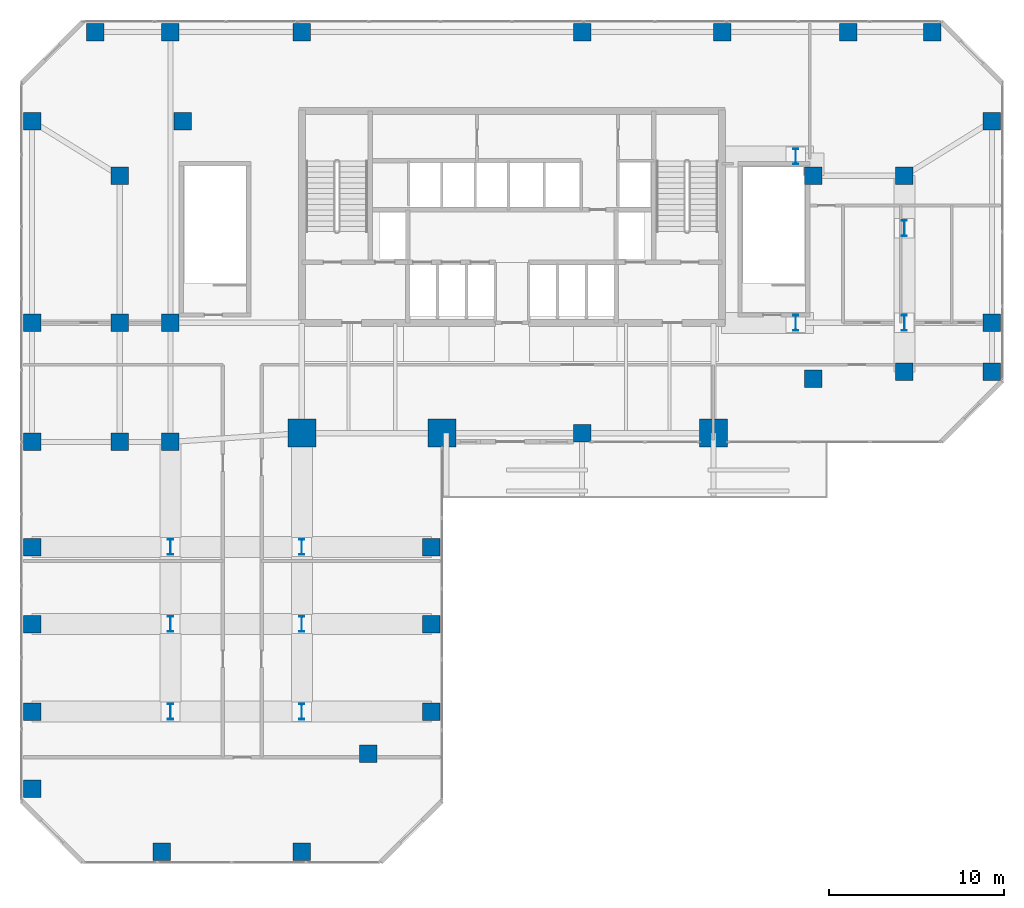
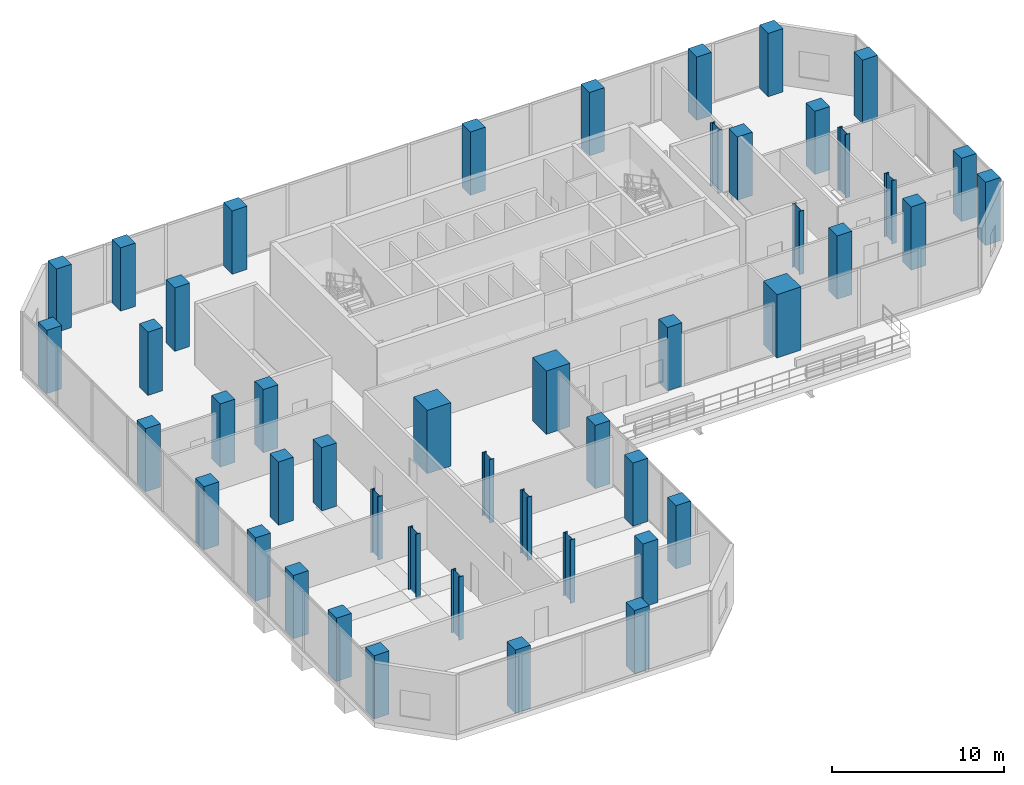
# One storey, part 1 of 24: 47 columns.
"""IFC4 building model written with IfcOpenShell, lengths in metres."""

from ifc_helpers import new_model, si_unit, direction, frame, origin, origin_2d, place, context, subcontext, project, spatial, rectangle, i_section, extrude, material, material_profile, profile_set, type_object, element, save


model = new_model("IFC4")

# Units and contexts
model_context = context("Model", 3, precision=1e-05, world=origin(), true_north=direction((0.0, 1.0)))
body_context = subcontext(model_context, "Body", "Model", "MODEL_VIEW")
ifc_project = project(units=[si_unit("LENGTHUNIT", "METRE"), si_unit("AREAUNIT", "SQUARE_METRE"), si_unit("VOLUMEUNIT", "CUBIC_METRE"), si_unit("PLANEANGLEUNIT", "RADIAN"), si_unit("MASSUNIT", "GRAM", prefix="KILO")], contexts=[model_context])

# Site, building, storey
site_placement = place(None, origin())
site = spatial("IfcSite", under=ifc_project, at=site_placement, CompositionType="ELEMENT")
building_placement = place(site_placement, origin())
building = spatial("IfcBuilding", under=site, at=building_placement, Name="Catumbela Crestline Tower", CompositionType="ELEMENT")
storey_placement = place(building_placement, frame((0.0, 0.0, 21.3)))
storey = spatial("IfcBuildingStorey", under=building, at=storey_placement, Name="L04", CompositionType="ELEMENT", Elevation=21.3)

# Columns
ifc_material_1 = material(Name="Concrete C60/75", Category="concrete")
ifc_material_profile_1 = material_profile(ifc_material_1, rectangle(XDim=1.0, YDim=1.0, at=origin_2d()), Name="RC 1000x1000")
ifc_profile_set_1 = profile_set([ifc_material_profile_1], Name="Concrete C60/75")
column_type_1 = type_object("IfcColumnType", Name="C-RC1000-C60", PredefinedType="COLUMN", material=ifc_profile_set_1)
for number, where, z_axis, x_axis, name in (
    (1, (8.5, 24.0, 0.0), (0.0, 0.0, 1.0), (1.0, 0.0, 0.0), "L04 Column C-08-24 (RC 1000x1000)"),
    (2, (32.0, 24.5, 0.0), (0.0, 0.0, 1.0), (1.0, 0.0, 0.0), "L04 Column C-32-24 (RC 1000x1000)"),
    (3, (5.6, 24.0, 0.0), (0.0, 0.0, 1.0), (1.0, 0.0, 0.0), "L04 Column C-05-24 (RC 1000x1000)"),
    (4, (5.6, 30.8, 0.0), (0.0, 0.0, 1.0), (1.0, 0.0, 0.0), "L04 Column C-05-31 (RC 1000x1000)"),
    (5, (5.6, 39.2, 0.0), (0.0, 0.0, 1.0), (1.0, 0.0, 0.0), "L04 Column C-05-43 (RC 1000x1000)"),
    (6, (8.5, 30.8, 0.0), (0.0, 0.0, 1.0), (1.0, 0.0, 0.0), "L04 Column C-08-31 (RC 1000x1000)"),
    (7, (9.2, 42.3, 0.0), (0.0, 0.0, 1.0), (1.0, 0.0, 0.0), "L04 Column C-08-43 (RC 1000x1000)"),
    (8, (45.2, 27.6, 0.0), (0.0, 0.0, 1.0), (1.0, 0.0, 0.0), "L04 Column C-46-24 (RC 1000x1000)"),
    (9, (45.2, 39.2, 0.0), (0.0, 0.0, 1.0), (1.0, 0.0, 0.0), "L04 Column C-46-43 (RC 1000x1000)"),
    (10, (0.6, 24.0, 0.0), (0.0, 0.0, 1.0), (1.0, 0.0, 0.0), "L04 Column C-00-24 (RC 1000x1000)"),
    (11, (0.6, 30.8, 0.0), (0.0, 0.0, 1.0), (1.0, 0.0, 0.0), "L04 Column C-00-31 (RC 1000x1000)"),
    (12, (0.6, 42.3, 0.0), (0.0, 0.0, 1.0), (1.0, 0.0, 0.0), "L04 Column C-00-43 (RC 1000x1000)"),
    (13, (4.2, 47.4, 0.0), (0.0, 0.0, 1.0), (1.0, 0.0, 0.0), "L04 Column C-00-48 (RC 1000x1000)"),
    (14, (8.5, 47.4, 0.0), (0.0, 0.0, 1.0), (1.0, 0.0, 0.0), "L04 Column C-08-48 (RC 1000x1000)"),
    (15, (16.0, 47.4, 0.0), (0.0, 0.0, 1.0), (1.0, 0.0, 0.0), "L04 Column C-16-48 (RC 1000x1000)"),
    (16, (32.0, 47.4, 0.0), (0.0, 0.0, 1.0), (1.0, 0.0, 0.0), "L04 Column C-32-48 (RC 1000x1000)"),
    (17, (40.0, 47.4, 0.0), (0.0, 0.0, 1.0), (1.0, 0.0, 0.0), "L04 Column C-40-48 (RC 1000x1000)"),
    (18, (47.2, 47.4, 0.0), (0.0, 0.0, 1.0), (1.0, 0.0, 0.0), "L04 Column C-48-48 (RC 1000x1000)"),
    (19, (50.4, 28.0, 0.0), (0.0, 0.0, 1.0), (1.0, 0.0, 0.0), "L04 Column C-51-24 (RC 1000x1000)"),
    (20, (50.4, 39.2, 0.0), (0.0, 0.0, 1.0), (1.0, 0.0, 0.0), "L04 Column C-51-43 (RC 1000x1000)"),
    (21, (55.4, 28.0, 0.0), (0.0, 0.0, 1.0), (1.0, 0.0, 0.0), "L04 Column C-56-24 (RC 1000x1000)"),
    (22, (55.4, 30.8, 0.0), (0.0, 0.0, 1.0), (1.0, 0.0, 0.0), "L04 Column C-56-31 (RC 1000x1000)"),
    (23, (55.4, 42.3, 0.0), (0.0, 0.0, 1.0), (1.0, 0.0, 0.0), "L04 Column C-56-43 (RC 1000x1000)"),
    (24, (52.0, 47.4, 0.0), (0.0, 0.0, 1.0), (1.0, 0.0, 0.0), "L04 Column C-56-48 (RC 1000x1000)"),
    (25, (0.6, 8.6, 0.0), (0.0, 0.0, 1.0), (1.0, 0.0, 0.0), "L04 Column C-00-05 (RC 1000x1000)"),
    (26, (0.6, 13.6, 0.0), (0.0, 0.0, 1.0), (1.0, 0.0, 0.0), "L04 Column C-00-10 (RC 1000x1000)"),
    (27, (0.6, 18.0, 0.0), (0.0, 0.0, 1.0), (1.0, 0.0, 0.0), "L04 Column C-00-16 (RC 1000x1000)"),
    (28, (0.6, 4.2, 0.0), (0.0, 0.0, 1.0), (1.0, 0.0, 0.0), "L04 Column C-00-03 (RC 1000x1000)"),
    (29, (8.0, 0.6, 0.0), (0.0, 0.0, 1.0), (1.0, 0.0, 0.0), "L04 Column C-08-00 (RC 1000x1000)"),
    (30, (16.0, 0.6, 0.0), (0.0, 0.0, 1.0), (1.0, 0.0, 0.0), "L04 Column C-16-00 (RC 1000x1000)"),
    (31, (19.8, 6.2, 0.0), (0.0, 0.0, 1.0), (1.0, 0.0, 0.0), "L04 Column C-24-05 (RC 1000x1000)"),
    (32, (23.4, 8.6, 0.0), (0.0, 0.0, 1.0), (1.0, 0.0, 0.0), "L04 Column C-23-08 (RC 1000x1000)"),
    (33, (23.4, 13.6, 0.0), (0.0, 0.0, 1.0), (1.0, 0.0, 0.0), "L04 Column C-24-10 (RC 1000x1000)"),
    (34, (23.4, 18.0, 0.0), (0.0, 0.0, 1.0), (1.0, 0.0, 0.0), "L04 Column C-24-16 (RC 1000x1000)"),
):
    element("IfcColumn", number, at=place(storey_placement, frame(where, z_axis=z_axis, x_axis=x_axis)), inside=storey, type_object=column_type_1, Name=name, PredefinedType="COLUMN", context=body_context, shape_type="SweptSolid", body=[
        extrude(rectangle(XDim=1.0, YDim=1.0, at=origin_2d()), origin(), (0.0, 0.0, 1.0), 4.5),
    ])
ifc_material_profile_2 = material_profile(ifc_material_1, rectangle(XDim=1.6, YDim=1.6, at=origin_2d()), Name="RC 1600x1600")
ifc_profile_set_2 = profile_set([ifc_material_profile_2], Name="Concrete C60/75")
column_type_2 = type_object("IfcColumnType", Name="C-RC1600-C60", PredefinedType="COLUMN", material=ifc_profile_set_2)
for number, where, z_axis, x_axis, name in (
    (35, (16.0, 24.5, 0.0), (0.0, 0.0, 1.0), (1.0, 0.0, 0.0), "L04 Column C-16-24 (RC 1600x1600)"),
    (36, (24.0, 24.5, 0.0), (0.0, 0.0, 1.0), (1.0, 0.0, 0.0), "L04 Column C-24-24 (RC 1600x1600)"),
    (37, (39.5, 24.5, 0.0), (0.0, 0.0, 1.0), (1.0, 0.0, 0.0), "L04 Column C-40-24 (RC 1600x1600)"),
):
    element("IfcColumn", number, at=place(storey_placement, frame(where, z_axis=z_axis, x_axis=x_axis)), inside=storey, type_object=column_type_2, Name=name, PredefinedType="COLUMN", context=body_context, shape_type="SweptSolid", body=[
        extrude(rectangle(XDim=1.6, YDim=1.6, at=origin_2d()), origin(), (0.0, 0.0, 1.0), 4.5),
    ])
ifc_material_2 = material(Name="Structural steel S460M", Category="steel")
ifc_material_profile_3 = material_profile(ifc_material_2, i_section(OverallWidth=0.3, OverallDepth=0.9, WebThickness=0.0185, FlangeThickness=0.035, FilletRadius=0.03, at=origin_2d()), Name="HEB 900")
ifc_profile_set_3 = profile_set([ifc_material_profile_3], Name="Structural steel S460M")
column_type_3 = type_object("IfcColumnType", Name="C-ST-HEB900", PredefinedType="COLUMN", material=ifc_profile_set_3)
for number, where, z_axis, x_axis, name in (
    (38, (8.5, 8.6, 0.0), (0.0, 0.0, 1.0), (1.0, 0.0, 0.0), "L04 Column CT-05-05 (HEB 900)"),
    (39, (16.0, 8.6, 0.0), (0.0, 0.0, 1.0), (1.0, 0.0, 0.0), "L04 Column CT-14-05 (HEB 900)"),
    (40, (8.5, 13.6, 0.0), (0.0, 0.0, 1.0), (1.0, 0.0, 0.0), "L04 Column CT-05-10 (HEB 900)"),
    (41, (16.0, 13.6, 0.0), (0.0, 0.0, 1.0), (1.0, 0.0, 0.0), "L04 Column CT-14-10 (HEB 900)"),
    (42, (8.5, 18.0, 0.0), (0.0, 0.0, 1.0), (1.0, 0.0, 0.0), "L04 Column CT-05-16 (HEB 900)"),
    (43, (16.0, 18.0, 0.0), (0.0, 0.0, 1.0), (1.0, 0.0, 0.0), "L04 Column CT-14-16 (HEB 900)"),
    (44, (44.2, 30.8, 0.0), (0.0, 0.0, 1.0), (1.0, 0.0, 0.0), "L04 Column CT-46-31 (HEB 900)"),
    (45, (44.2, 40.3, 0.0), (0.0, 0.0, 1.0), (1.0, 0.0, 0.0), "L04 Column CT-46-37 (HEB 900)"),
    (46, (50.4, 30.8, 0.0), (0.0, 0.0, 1.0), (1.0, 0.0, 0.0), "L04 Column CT-51-31 (HEB 900)"),
    (47, (50.4, 36.2, 0.0), (0.0, 0.0, 1.0), (1.0, 0.0, 0.0), "L04 Column CT-51-37 (HEB 900)"),
):
    element("IfcColumn", number, at=place(storey_placement, frame(where, z_axis=z_axis, x_axis=x_axis)), inside=storey, type_object=column_type_3, Name=name, PredefinedType="COLUMN", context=body_context, shape_type="SweptSolid", body=[
        extrude(i_section(OverallWidth=0.3, OverallDepth=0.9, WebThickness=0.0185, FlangeThickness=0.035, FilletRadius=0.03, at=origin_2d()), origin(), (0.0, 0.0, 1.0), 4.5),
    ])

save(model, "model.ifc")
